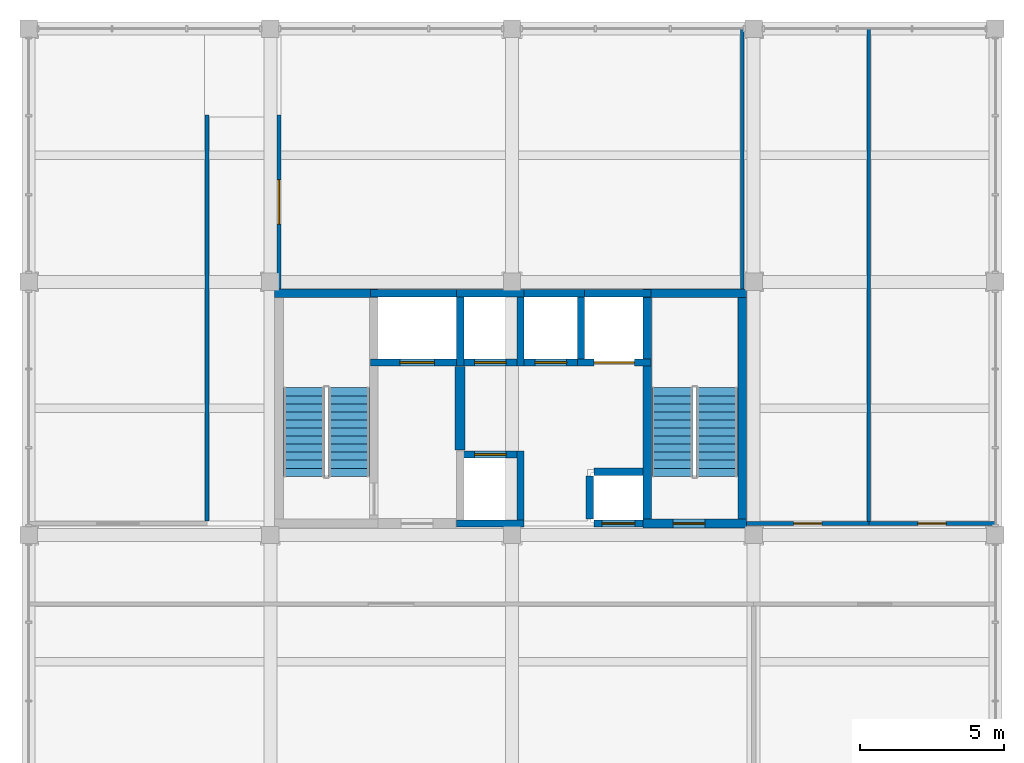
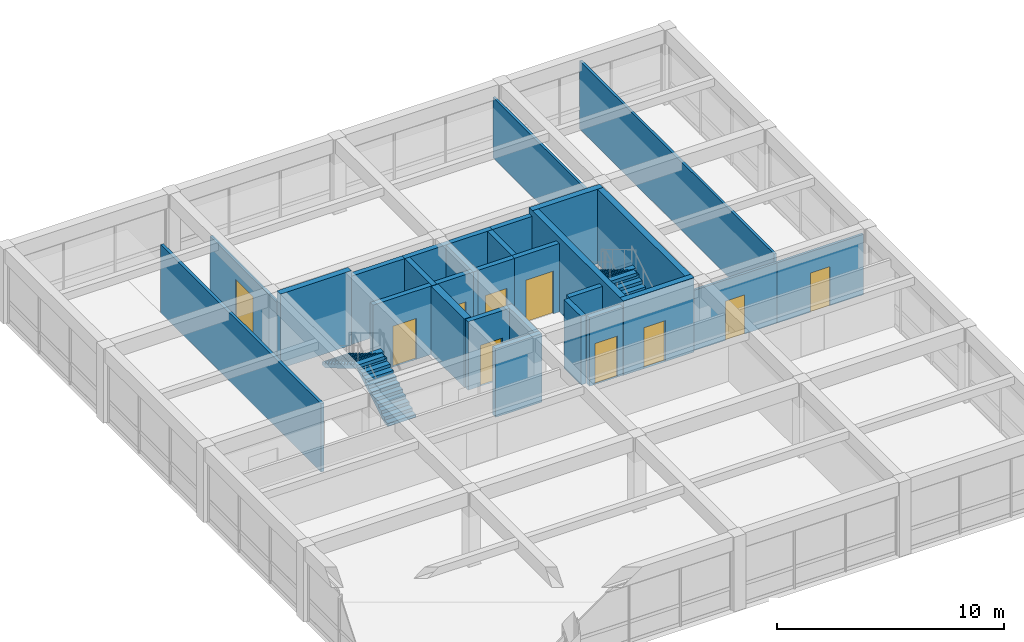
# One storey, part 10 of 14: 29 walls, 10 doors, 4 stair flights, 10 openings, 2 elements without a shape of their own.
"""IFC4 building model written with IfcOpenShell, lengths in metres."""

import ifcopenshell
import ifcopenshell.guid

model = None  # the IFC model being written
_history = None  # IfcOwnerHistory: only IFC2X3 demands one
_inside = {}  # id of a spatial element -> (the spatial element, [elements in it])
_under = {}  # id of a project, library or spatial element -> (it, [spatial elements below it])
_declared = {}  # id of a project -> (the project, [libraries it declares])
_typed = {}  # id of a type object -> (the type object, [elements of that type])
_made_of = {}  # id of a material, layer set ... -> (it, [elements and type objects made of it])


def new_model(schema):
    """Start an empty IFC model of exactly this schema.

    Asked for "IFC4X3", IfcOpenShell would pick the latest addendum, in which some entities
    have other attributes; the version numbers below select the first issue.
    IFC2X3 requires an IfcOwnerHistory on every rooted entity: one is made here for all.
    """
    global model, _history
    if schema == "IFC4X3":
        model = ifcopenshell.file(schema_version=(4, 3, 0, 0))
    else:
        model = ifcopenshell.file(schema=schema)
    _inside.clear()
    _under.clear()
    _declared.clear()
    _typed.clear()
    _made_of.clear()
    _history = None
    if model.schema == "IFC2X3":
        org = make("IfcOrganization", Name="unknown")
        user = make(
            "IfcPersonAndOrganization",
            ThePerson=make("IfcPerson", FamilyName="unknown"),
            TheOrganization=org,
        )
        app = make(
            "IfcApplication",
            ApplicationDeveloper=org,
            Version="unknown",
            ApplicationFullName="unknown",
            ApplicationIdentifier="unknown",
        )
        _history = make(
            "IfcOwnerHistory",
            OwningUser=user,
            OwningApplication=app,
            ChangeAction="ADDED",
            CreationDate=0,
        )
    return model


def make(cls, **values):
    """One entity of the class cls with the attributes given. An attribute that is None is left unset."""
    return model.create_entity(
        cls, **{name: value for name, value in values.items() if value is not None}
    )


def rooted(cls, **values):
    """An entity with a GlobalId (a new one), such as an element, a storey or a relation."""
    return make(cls, GlobalId=ifcopenshell.guid.new(), OwnerHistory=_history, **values)


def si_unit(unit_type, name, prefix=None):
    """IfcSIUnit, for example si_unit("LENGTHUNIT", "METRE", prefix="MILLI")."""
    return make("IfcSIUnit", UnitType=unit_type, Prefix=prefix, Name=name)


def assignment(units):
    """IfcUnitAssignment: the units of a project."""
    return None if units is None else make("IfcUnitAssignment", Units=units)


def point(xyz):
    """IfcCartesianPoint."""
    return None if xyz is None else make("IfcCartesianPoint", Coordinates=xyz)


def direction(xyz):
    """IfcDirection."""
    return None if xyz is None else make("IfcDirection", DirectionRatios=xyz)


def frame(location, z_axis=None, x_axis=None):
    """IfcAxis2Placement3D, a coordinate frame: its origin and axes. An axis left out is left unset."""
    return make(
        "IfcAxis2Placement3D",
        Location=point(location),
        Axis=direction(z_axis),
        RefDirection=direction(x_axis),
    )


def frame_2d(location, x_axis=None):
    """IfcAxis2Placement2D, a coordinate frame in the plane: its origin and x axis."""
    return make(
        "IfcAxis2Placement2D", Location=point(location), RefDirection=direction(x_axis)
    )


def origin():
    """The frame at (0, 0, 0) with its axes left unset."""
    return frame((0.0, 0.0, 0.0))


def place(relative_to, where):
    """IfcLocalPlacement: puts the frame where relative to a parent placement (None: the world)."""
    return make(
        "IfcLocalPlacement", PlacementRelTo=relative_to, RelativePlacement=where
    )


def context(
    kind, dimensions, precision=None, world=None, true_north=None, identifier=None
):
    """IfcGeometricRepresentationContext, for example the 3D "Model" context."""
    return make(
        "IfcGeometricRepresentationContext",
        ContextIdentifier=identifier,
        ContextType=kind,
        CoordinateSpaceDimension=dimensions,
        Precision=precision,
        WorldCoordinateSystem=world,
        TrueNorth=true_north,
    )


def subcontext(parent, identifier, kind, view, scale=None):
    """IfcGeometricRepresentationSubContext, for example "Body" below "Model"."""
    return make(
        "IfcGeometricRepresentationSubContext",
        ContextIdentifier=identifier,
        ContextType=kind,
        ParentContext=parent,
        TargetScale=scale,
        TargetView=view,
    )


def project(units=None, contexts=None):
    """IfcProject with its units and contexts."""
    return rooted(
        "IfcProject",
        Name="project",
        RepresentationContexts=contexts,
        UnitsInContext=assignment(units),
    )


def spatial(cls, under=None, at=None, **own):
    """A site, building, storey or space (cls), placed at a placement, below another one or the project."""
    s = rooted(cls, ObjectPlacement=at, **own)
    if under is not None:
        _under.setdefault(under.id(), (under, []))[1].append(s)
    return s


def polyline(points):
    """IfcPolyline through the points."""
    return make("IfcPolyline", Points=[point(p) for p in points])


def profile(cls, at=None, kind="AREA", **sizes):
    """A parametric profile (cls). Its sizes go by their IFC names, for example OverallWidth=200.0."""
    return make(cls, ProfileType=kind, Position=at, **sizes)


def rectangle(**sizes):
    """IfcRectangleProfileDef."""
    return profile("IfcRectangleProfileDef", **sizes)


def outline(outer, holes=None, kind="AREA"):
    """IfcArbitraryClosedProfileDef: a profile drawn as a closed curve; with holes, ...WithVoids."""
    if holes is None:
        return make("IfcArbitraryClosedProfileDef", ProfileType=kind, OuterCurve=outer)
    return make(
        "IfcArbitraryProfileDefWithVoids",
        ProfileType=kind,
        OuterCurve=outer,
        InnerCurves=holes,
    )


def extrude(swept, where, along, depth):
    """IfcExtrudedAreaSolid: the profile swept, set in the frame where, extruded along a direction by depth."""
    return make(
        "IfcExtrudedAreaSolid",
        SweptArea=swept,
        Position=where,
        ExtrudedDirection=direction(along),
        Depth=depth,
    )


def shape(context_of_items, identifier, shape_type, items):
    """IfcShapeRepresentation: the items that make up one representation, for example the "Body"."""
    return make(
        "IfcShapeRepresentation",
        ContextOfItems=context_of_items,
        RepresentationIdentifier=identifier,
        RepresentationType=shape_type,
        Items=items,
    )


def material(Name=None, Category=None):
    """IfcMaterial."""
    return make("IfcMaterial", Name=Name, Category=Category)


def layer(
    of_material, thickness, ventilated=None, Name=None, Category=None, Priority=None
):
    """IfcMaterialLayer: one layer of a wall or slab, of a material (None: an air gap)."""
    return make(
        "IfcMaterialLayer",
        Material=of_material,
        LayerThickness=thickness,
        IsVentilated=ventilated,
        Name=Name,
        Category=Category,
        Priority=Priority,
    )


def layer_set(layers, Name=None):
    """IfcMaterialLayerSet."""
    return make("IfcMaterialLayerSet", MaterialLayers=layers, LayerSetName=Name)


def made_of(thing, what):
    """Note that an element or type object is made of a material, layer set ...; save() writes the relation."""
    if what is not None:
        _made_of.setdefault(what.id(), (what, []))[1].append(thing)
    return thing


def type_object(cls, material=None, **own):
    """A type object (cls), such as IfcWallType, which elements share."""
    return made_of(rooted(cls, **own), material)


def element(
    cls,
    number,
    at=None,
    inside=None,
    cuts=None,
    type_object=None,
    material=None,
    context=None,
    identifier="Body",
    shape_type=None,
    held_by="IfcProductDefinitionShape",
    body=None,
    shapes=None,
    **own,
):
    """One element of the class cls, such as IfcWall. Its Tag is "e" and its number.

    at: its placement. inside: the storey or other place that contains it. cuts: it is an
    opening in that element (IfcRelVoidsElement). A single representation is given by context,
    identifier, shape_type and body (its items); several are given by shapes. held_by: the class
    of the entity that holds the representations. save() writes the other relations.
    """
    e = rooted(cls, Tag="e%d" % number, ObjectPlacement=at, **own)
    if body is not None:
        shapes = [shape(context, identifier, shape_type, body)]
    if shapes is not None:
        e.Representation = make(held_by, Representations=shapes)
    if inside is not None:
        _inside.setdefault(inside.id(), (inside, []))[1].append(e)
    if cuts is not None:
        rooted(
            "IfcRelVoidsElement", RelatingBuildingElement=cuts, RelatedOpeningElement=e
        )
    if type_object is not None:
        _typed.setdefault(type_object.id(), (type_object, []))[1].append(e)
    return made_of(e, material)


def fill(opening, filler):
    """IfcRelFillsElement: the door or window that sits in an opening."""
    return rooted(
        "IfcRelFillsElement",
        RelatingOpeningElement=opening,
        RelatedBuildingElement=filler,
    )


def aggregate(whole, parts):
    """IfcRelAggregates: a whole, such as a stair, and the parts it consists of."""
    return rooted("IfcRelAggregates", RelatingObject=whole, RelatedObjects=parts)


def save(model, path):
    """Write the relations noted so far, then the file.

    IfcRelAggregates (storeys below a building ...), IfcRelContainedInSpatialStructure (elements
    in a storey), IfcRelDefinesByType, IfcRelAssociatesMaterial and IfcRelDeclares: one each for
    every whole, place, type object, material and project.
    """
    for whole, parts in _under.values():
        aggregate(whole, parts)
    for where, things in _inside.values():
        rooted(
            "IfcRelContainedInSpatialStructure",
            RelatedElements=things,
            RelatingStructure=where,
        )
    for kind, things in _typed.values():
        rooted("IfcRelDefinesByType", RelatedObjects=things, RelatingType=kind)
    for what, things in _made_of.values():
        rooted("IfcRelAssociatesMaterial", RelatedObjects=things, RelatingMaterial=what)
    for by, libraries in _declared.values():
        rooted("IfcRelDeclares", RelatingContext=by, RelatedDefinitions=libraries)
    model.write(path)


model = new_model("IFC4")

# Units and contexts
model_context = context("Model", 3, precision=1e-05, world=origin(), true_north=direction((0.0, 1.0)))
body_context = subcontext(model_context, "Body", "Model", "MODEL_VIEW")
ifc_project = project(units=[si_unit("LENGTHUNIT", "METRE"), si_unit("AREAUNIT", "SQUARE_METRE"), si_unit("VOLUMEUNIT", "CUBIC_METRE"), si_unit("PLANEANGLEUNIT", "RADIAN"), si_unit("MASSUNIT", "GRAM", prefix="KILO")], contexts=[model_context])

# Site, building, storey
site_placement = place(None, origin())
site = spatial("IfcSite", under=ifc_project, at=site_placement, CompositionType="ELEMENT")
building_placement = place(site_placement, origin())
building = spatial("IfcBuilding", under=site, at=building_placement, Name="Kemercrest Conservatory and Botanical Centre", CompositionType="ELEMENT")
storey_placement = place(building_placement, frame((0.0, 0.0, 59.800048828125)))
storey = spatial("IfcBuildingStorey", under=building, at=storey_placement, Name="L15", CompositionType="ELEMENT", Elevation=59.800048828125)

# Walls
ifc_material_1 = material(Name="Concrete C50/60", Category="concrete")
ifc_layer_1 = layer(ifc_material_1, 0.35009765625)
ifc_layer_set_1 = layer_set([ifc_layer_1], Name="Concrete C50/60")
wall_type_1 = type_object("IfcWallType", Name="CW-CORE", PredefinedType="SHEAR", material=ifc_layer_set_1)
wall_1_placement = place(storey_placement, frame((157.39990234375, 107.75, 0.0), z_axis=(0.0, 0.0, 1.0), x_axis=(0.0, 1.0, 0.0)))
element("IfcWall", 1, at=wall_1_placement, inside=storey, type_object=wall_type_1, Name="Firefighting lift lobby 2-hour separation shear wall", PredefinedType="SHEAR", context=body_context, shape_type="SweptSolid", body=[
    extrude(rectangle(XDim=2.89990234375, YDim=0.35009765625, at=frame_2d((1.449951171875, 0.0))), origin(), (0.0, 0.0, 1.0), 3.679931640625),
])
ifc_layer_2 = layer(ifc_material_1, 0.300048828125)
ifc_layer_set_2 = layer_set([ifc_layer_2], Name="Concrete C50/60")
wall_type_2 = type_object("IfcWallType", Name="CW-STAIR", PredefinedType="SHEAR", material=ifc_layer_set_2)
wall_2_placement = place(storey_placement, frame((150.949951171875, 113.199951171875, 0.0), z_axis=(0.0, 0.0, 1.0), x_axis=(1.0, 0.0, 0.0)))
element("IfcWall", 2, at=wall_2_placement, inside=storey, type_object=wall_type_2, Name="Stair core ST-V4A shear wall N", PredefinedType="SHEAR", context=body_context, shape_type="SweptSolid", body=[
    extrude(rectangle(XDim=3.60009765625, YDim=0.300048828125, at=frame_2d((1.800048828125, 0.0))), origin(), (0.0, 0.0, 1.0), 4.0),
])

# Wall, opening, door
wall_3_placement = place(storey_placement, frame((163.75, 105.199951171875, 0.0), z_axis=(0.0, 0.0, 1.0), x_axis=(1.0, 0.0, 0.0)))
wall_3 = element("IfcWall", 3, at=wall_3_placement, inside=storey, type_object=wall_type_2, Name="Stair core ST-V4B shear wall S", PredefinedType="SHEAR", context=body_context, shape_type="SweptSolid", body=[
    extrude(rectangle(XDim=3.60009765625, YDim=0.300048828125, at=frame_2d((1.800048828125, 0.0))), origin(), (0.0, 0.0, 1.0), 4.0),
])
opening_1_placement = place(wall_3_placement, frame((1.050048828125, 0.0, 0.0)))
opening_1 = element("IfcOpeningElement", 4, at=opening_1_placement, cuts=wall_3, Name="Opening D060", PredefinedType="OPENING", context=body_context, shape_type="SweptSolid", body=[
    extrude(rectangle(XDim=1.10009765625, YDim=2.199951171875, at=frame_2d((0.550048828125, 1.10009765625))), frame((0.0, 0.16015625, 0.0), z_axis=(0.0, -1.0, 0.0), x_axis=(1.0, 0.0, 0.0)), (0.0, 0.0, 1.0), 0.320068359375),
])
ifc_material_2 = material(Name="Powder-coated galvanized steel and fire-rated vision glass", Category="steel")
door_type_1 = type_object("IfcDoorType", Name="DT-FD90", OperationType="NOTDEFINED", PredefinedType="DOOR", material=ifc_material_2)
door_1_placement = place(opening_1_placement, origin())
door_1 = element("IfcDoor", 5, at=door_1_placement, inside=storey, type_object=door_type_1, Name="Exit stair ST-V4B fire door D060", OperationType="SINGLE_SWING_RIGHT", OverallHeight=2.199951171875, OverallWidth=1.10009765625, PredefinedType="DOOR", context=body_context, shape_type="SweptSolid", body=[
    extrude(rectangle(XDim=1.10009765625, YDim=2.199951171875, at=frame_2d((0.550048828125, 1.10009765625))), frame((0.0, 0.02490234375, 0.0), z_axis=(0.0, -1.0, 0.0), x_axis=(1.0, 0.0, 0.0)), (0.0, 0.0, 1.0), 0.050048828125),
])
fill(opening_1, door_1)

# Walls
wall_4_placement = place(storey_placement, frame((163.75, 113.199951171875, 0.0), z_axis=(0.0, 0.0, 1.0), x_axis=(1.0, 0.0, 0.0)))
element("IfcWall", 6, at=wall_4_placement, inside=storey, type_object=wall_type_2, Name="Stair core ST-V4B shear wall N", PredefinedType="SHEAR", context=body_context, shape_type="SweptSolid", body=[
    extrude(rectangle(XDim=3.60009765625, YDim=0.300048828125, at=frame_2d((1.800048828125, 0.0))), origin(), (0.0, 0.0, 1.0), 4.0),
])
for number, where, z_axis, x_axis, name in (
    (7, (163.89990234375, 105.050048828125, 0.0), (0.0, 0.0, 1.0), (0.0, 1.0, 0.0), "Stair core ST-V4B shear wall W"),
    (8, (167.199951171875, 105.050048828125, 0.0), (0.0, 0.0, 1.0), (0.0, 1.0, 0.0), "Stair core ST-V4B shear wall E"),
):
    element("IfcWall", number, at=place(storey_placement, frame(where, z_axis=z_axis, x_axis=x_axis)), inside=storey, type_object=wall_type_2, Name=name, PredefinedType="SHEAR", context=body_context, shape_type="SweptSolid", body=[
        extrude(rectangle(XDim=8.300048828125, YDim=0.300048828125, at=frame_2d((4.14990234375, 0.0))), origin(), (0.0, 0.0, 1.0), 4.0),
    ])

# Wall, opening, door
ifc_material_3 = material(Name="Moisture-resistant gypsum board partition", Category="gypsum")
ifc_layer_3 = layer(ifc_material_3, 0.125)
ifc_layer_set_3 = layer_set([ifc_layer_3], Name="Moisture-resistant gypsum board partition")
wall_type_3 = type_object("IfcWallType", Name="W-PART125", PredefinedType="PARTITIONING", material=ifc_layer_set_3)
wall_5_placement = place(storey_placement, frame((167.35498046875, 105.199951171875, 0.0), z_axis=(0.0, 0.0, 1.0), x_axis=(1.0, 0.0, 0.0)))
wall_5 = element("IfcWall", 9, at=wall_5_placement, inside=storey, type_object=wall_type_3, Name="Interior partition W-PART125 #305", PredefinedType="PARTITIONING", context=body_context, shape_type="SweptSolid", body=[
    extrude(rectangle(XDim=4.2451171875, YDim=0.125, at=frame_2d((2.12255859375, 0.0))), origin(), (0.0, 0.0, 1.0), 3.244873046875),
])
opening_2_placement = place(wall_5_placement, frame((1.632568359375, 0.0, 0.0)))
opening_2 = element("IfcOpeningElement", 10, at=opening_2_placement, cuts=wall_5, Name="Opening D280", PredefinedType="OPENING", context=body_context, shape_type="SweptSolid", body=[
    extrude(rectangle(XDim=0.97998046875, YDim=2.10009765625, at=frame_2d((0.489990234375, 1.050048828125))), frame((0.0, 0.072509765625, 0.0), z_axis=(0.0, -1.0, 0.0), x_axis=(1.0, 0.0, 0.0)), (0.0, 0.0, 1.0), 0.14501953125),
])
ifc_material_4 = material(Name="FSC solid-core white oak veneer and anodized aluminium frame", Category="aluminium")
door_type_2 = type_object("IfcDoorType", Name="DT-02", OperationType="NOTDEFINED", PredefinedType="DOOR", material=ifc_material_4)
door_2_placement = place(opening_2_placement, origin())
door_2 = element("IfcDoor", 11, at=door_2_placement, inside=storey, type_object=door_type_2, Name="Public Washroom door D280", OperationType="SINGLE_SWING_RIGHT", OverallHeight=2.10009765625, OverallWidth=0.97998046875, PredefinedType="DOOR", context=body_context, shape_type="SweptSolid", body=[
    extrude(rectangle(XDim=0.97998046875, YDim=2.10009765625, at=frame_2d((0.489990234375, 1.050048828125))), frame((0.0, 0.02490234375, 0.0), z_axis=(0.0, -1.0, 0.0), x_axis=(1.0, 0.0, 0.0)), (0.0, 0.0, 1.0), 0.050048828125),
])
fill(opening_2, door_2)

wall_6_placement = place(storey_placement, frame((171.60009765625, 105.199951171875, 0.0), z_axis=(0.0, 0.0, 1.0), x_axis=(1.0, 0.0, 0.0)))
wall_6 = element("IfcWall", 12, at=wall_6_placement, inside=storey, type_object=wall_type_3, Name="Interior partition W-PART125 #306", PredefinedType="PARTITIONING", context=body_context, shape_type="SweptSolid", body=[
    extrude(rectangle(XDim=4.39990234375, YDim=0.125, at=frame_2d((2.199951171875, 0.0))), origin(), (0.0, 0.0, 1.0), 3.244873046875),
])
opening_3_placement = place(wall_6_placement, frame((1.7099609375, 0.0, 0.0)))
opening_3 = element("IfcOpeningElement", 13, at=opening_3_placement, cuts=wall_6, Name="Opening D281", PredefinedType="OPENING", context=body_context, shape_type="SweptSolid", body=[
    extrude(rectangle(XDim=0.97998046875, YDim=2.10009765625, at=frame_2d((0.489990234375, 1.050048828125))), frame((0.0, 0.072509765625, 0.0), z_axis=(0.0, -1.0, 0.0), x_axis=(1.0, 0.0, 0.0)), (0.0, 0.0, 1.0), 0.14501953125),
])
door_3_placement = place(opening_3_placement, origin())
door_3 = element("IfcDoor", 14, at=door_3_placement, inside=storey, type_object=door_type_2, Name="Accessible Washroom door D281", OperationType="SINGLE_SWING_LEFT", OverallHeight=2.10009765625, OverallWidth=0.97998046875, PredefinedType="DOOR", context=body_context, shape_type="SweptSolid", body=[
    extrude(rectangle(XDim=0.97998046875, YDim=2.10009765625, at=frame_2d((0.489990234375, 1.050048828125))), frame((0.0, 0.02490234375, 0.0), z_axis=(0.0, -1.0, 0.0), x_axis=(1.0, 0.0, 0.0)), (0.0, 0.0, 1.0), 0.050048828125),
])
fill(opening_3, door_3)

# Walls
wall_7_placement = place(storey_placement, frame((167.199951171875, 113.35498046875, 0.0), z_axis=(0.0, 0.0, 1.0), x_axis=(0.0, 1.0, 0.0)))
element("IfcWall", 15, at=wall_7_placement, inside=storey, type_object=wall_type_3, Name="Interior partition W-PART125 #310", PredefinedType="PARTITIONING", context=body_context, shape_type="SweptSolid", body=[
    extrude(rectangle(XDim=9.044921875, YDim=0.125, at=frame_2d((4.5224609375, 0.0))), origin(), (0.0, 0.0, 1.0), 3.244873046875),
])
wall_8_placement = place(storey_placement, frame((171.60009765625, 105.267578125, 0.0), z_axis=(0.0, 0.0, 1.0), x_axis=(0.0, 1.0, 0.0)))
element("IfcWall", 16, at=wall_8_placement, inside=storey, type_object=wall_type_3, Name="Interior partition W-PART125 #311", PredefinedType="PARTITIONING", context=body_context, shape_type="SweptSolid", body=[
    extrude(rectangle(XDim=17.13232421875, YDim=0.125, at=frame_2d((8.566162109375, 0.0))), origin(), (0.0, 0.0, 1.0), 3.6650390625),
])
ifc_material_5 = material(Name="Steel-stud gypsum board partition", Category="steel")
ifc_layer_4 = layer(ifc_material_5, 0.14990234375)
ifc_layer_set_4 = layer_set([ifc_layer_4], Name="Steel-stud gypsum board partition")
wall_type_4 = type_object("IfcWallType", Name="W-PART150", PredefinedType="PARTITIONING", material=ifc_layer_set_4)
wall_9_placement = place(storey_placement, frame((148.60009765625, 105.280029296875, 0.0), z_axis=(0.0, 0.0, 1.0), x_axis=(0.0, 1.0, 0.0)))
element("IfcWall", 17, at=wall_9_placement, inside=storey, type_object=wall_type_4, Name="Interior partition W-PART150 #307", PredefinedType="PARTITIONING", context=body_context, shape_type="SweptSolid", body=[
    extrude(rectangle(XDim=14.119873046875, YDim=0.14990234375, at=frame_2d((7.06005859375, 0.0))), origin(), (0.0, 0.0, 1.0), 3.6650390625),
])

# Wall, opening, door
wall_10_placement = place(storey_placement, frame((151.10009765625, 113.35498046875, 0.0), z_axis=(0.0, 0.0, 1.0), x_axis=(0.0, 1.0, 0.0)))
wall_10 = element("IfcWall", 18, at=wall_10_placement, inside=storey, type_object=wall_type_4, Name="Interior partition W-PART150 #308", PredefinedType="PARTITIONING", context=body_context, shape_type="SweptSolid", body=[
    extrude(rectangle(XDim=6.044921875, YDim=0.14990234375, at=frame_2d((3.0224609375, 0.0))), origin(), (0.0, 0.0, 1.0), 3.244873046875),
])
opening_4_placement = place(wall_10_placement, frame((2.25244140625, 0.0, 0.0)))
opening_4 = element("IfcOpeningElement", 19, at=opening_4_placement, cuts=wall_10, Name="Opening D282", PredefinedType="OPENING", context=body_context, shape_type="SweptSolid", body=[
    extrude(rectangle(XDim=1.5400390625, YDim=2.300048828125, at=frame_2d((0.77001953125, 1.14990234375))), frame((0.0, 0.0849609375, 0.0), z_axis=(0.0, -1.0, 0.0), x_axis=(1.0, 0.0, 0.0)), (0.0, 0.0, 1.0), 0.169921875),
])
door_type_3 = type_object("IfcDoorType", Name="DT-30", OperationType="DOUBLE_DOOR_SINGLE_SWING", PredefinedType="DOOR", material=ifc_material_4)
door_4_placement = place(opening_4_placement, origin())
door_4 = element("IfcDoor", 20, at=door_4_placement, inside=storey, type_object=door_type_3, Name="Exhibitions Curatorial Office door D282", OperationType="DOUBLE_DOOR_SINGLE_SWING", OverallHeight=2.300048828125, OverallWidth=1.5400390625, PredefinedType="DOOR", context=body_context, shape_type="SweptSolid", body=[
    extrude(rectangle(XDim=1.5400390625, YDim=2.300048828125, at=frame_2d((0.77001953125, 1.14990234375))), frame((0.0, 0.02490234375, 0.0), z_axis=(0.0, -1.0, 0.0), x_axis=(1.0, 0.0, 0.0)), (0.0, 0.0, 1.0), 0.050048828125),
])
fill(opening_4, door_4)

ifc_material_6 = material(Name="Concrete C40/50", Category="concrete")
ifc_layer_5 = layer(ifc_material_6, 0.25)
ifc_layer_set_5 = layer_set([ifc_layer_5], Name="Concrete C40/50")
wall_type_5 = type_object("IfcWallType", Name="W-SHFT250", PredefinedType="SOLIDWALL", material=ifc_layer_set_5)
wall_11_placement = place(storey_placement, frame((154.27490234375, 110.800048828125, 0.0), z_axis=(0.0, 0.0, 1.0), x_axis=(1.0, 0.0, 0.0)))
wall_11 = element("IfcWall", 21, at=wall_11_placement, inside=storey, type_object=wall_type_5, Name="Elevator LF-FF1 shaft wall south", PredefinedType="SOLIDWALL", context=body_context, shape_type="SweptSolid", body=[
    extrude(rectangle(XDim=3.25, YDim=0.25, at=frame_2d((1.625, 0.0))), origin(), (0.0, 0.0, 1.0), 3.679931640625),
])
opening_5_placement = place(wall_11_placement, frame((1.02490234375, 0.0, 0.0)))
opening_5 = element("IfcOpeningElement", 22, at=opening_5_placement, cuts=wall_11, Name="Opening LD-017", PredefinedType="OPENING", context=body_context, shape_type="SweptSolid", body=[
    extrude(rectangle(XDim=1.199951171875, YDim=2.199951171875, at=frame_2d((0.60009765625, 1.10009765625))), frame((0.0, 0.135009765625, 0.0), z_axis=(0.0, -1.0, 0.0), x_axis=(1.0, 0.0, 0.0)), (0.0, 0.0, 1.0), 0.27001953125),
])
door_type_4 = type_object("IfcDoorType", Name="DT-LD02", OperationType="SLIDING_TO_LEFT", PredefinedType="DOOR", material=ifc_material_2)
door_5_placement = place(opening_5_placement, origin())
door_5 = element("IfcDoor", 23, at=door_5_placement, inside=storey, type_object=door_type_4, Name="Elevator LF-FF1 sliding landing door LD-017", OperationType="SLIDING_TO_LEFT", OverallHeight=2.199951171875, OverallWidth=1.199951171875, PredefinedType="DOOR", context=body_context, shape_type="SweptSolid", body=[
    extrude(rectangle(XDim=1.199951171875, YDim=2.199951171875, at=frame_2d((0.60009765625, 1.10009765625))), frame((0.0, 0.02490234375, 0.0), z_axis=(0.0, -1.0, 0.0), x_axis=(1.0, 0.0, 0.0)), (0.0, 0.0, 1.0), 0.050048828125),
])
fill(opening_5, door_5)

# Walls
wall_12_placement = place(storey_placement, frame((154.27490234375, 113.199951171875, 0.0), z_axis=(0.0, 0.0, 1.0), x_axis=(1.0, 0.0, 0.0)))
element("IfcWall", 24, at=wall_12_placement, inside=storey, type_object=wall_type_5, Name="Elevator LF-FF1 shaft wall north", PredefinedType="SOLIDWALL", context=body_context, shape_type="SweptSolid", body=[
    extrude(rectangle(XDim=3.25, YDim=0.25, at=frame_2d((1.625, 0.0))), origin(), (0.0, 0.0, 1.0), 3.679931640625),
])
wall_13_placement = place(storey_placement, frame((157.39990234375, 110.675048828125, 0.0), z_axis=(0.0, 0.0, 1.0), x_axis=(0.0, 1.0, 0.0)))
element("IfcWall", 25, at=wall_13_placement, inside=storey, type_object=wall_type_5, Name="Elevator LF-FF1 shaft wall east", PredefinedType="SOLIDWALL", context=body_context, shape_type="SweptSolid", body=[
    extrude(rectangle(XDim=2.64990234375, YDim=0.25, at=frame_2d((1.324951171875, 0.0))), origin(), (0.0, 0.0, 1.0), 3.679931640625),
])

# Wall, opening, door
wall_14_placement = place(storey_placement, frame((157.27490234375, 110.800048828125, 0.0), z_axis=(0.0, 0.0, 1.0), x_axis=(1.0, 0.0, 0.0)))
wall_14 = element("IfcWall", 26, at=wall_14_placement, inside=storey, type_object=wall_type_5, Name="Elevator LF-P1 shaft wall south", PredefinedType="SOLIDWALL", context=body_context, shape_type="SweptSolid", body=[
    extrude(rectangle(XDim=2.35009765625, YDim=0.25, at=frame_2d((1.175048828125, 0.0))), origin(), (0.0, 0.0, 1.0), 3.679931640625),
])
opening_6_placement = place(wall_14_placement, frame((0.625, 0.0, 0.0)))
opening_6 = element("IfcOpeningElement", 27, at=opening_6_placement, cuts=wall_14, Name="Opening LD-036", PredefinedType="OPENING", context=body_context, shape_type="SweptSolid", body=[
    extrude(rectangle(XDim=1.10009765625, YDim=2.199951171875, at=frame_2d((0.550048828125, 1.10009765625))), frame((0.0, 0.135009765625, 0.0), z_axis=(0.0, -1.0, 0.0), x_axis=(1.0, 0.0, 0.0)), (0.0, 0.0, 1.0), 0.27001953125),
])
door_type_5 = type_object("IfcDoorType", Name="DT-LD01", OperationType="SLIDING_TO_LEFT", PredefinedType="DOOR", material=ifc_material_2)
door_6_placement = place(opening_6_placement, origin())
door_6 = element("IfcDoor", 28, at=door_6_placement, inside=storey, type_object=door_type_5, Name="Elevator LF-P1 sliding landing door LD-036", OperationType="SLIDING_TO_LEFT", OverallHeight=2.199951171875, OverallWidth=1.10009765625, PredefinedType="DOOR", context=body_context, shape_type="SweptSolid", body=[
    extrude(rectangle(XDim=1.10009765625, YDim=2.199951171875, at=frame_2d((0.550048828125, 1.10009765625))), frame((0.0, 0.02490234375, 0.0), z_axis=(0.0, -1.0, 0.0), x_axis=(1.0, 0.0, 0.0)), (0.0, 0.0, 1.0), 0.050048828125),
])
fill(opening_6, door_6)

# Walls
wall_15_placement = place(storey_placement, frame((157.27490234375, 113.199951171875, 0.0), z_axis=(0.0, 0.0, 1.0), x_axis=(1.0, 0.0, 0.0)))
element("IfcWall", 29, at=wall_15_placement, inside=storey, type_object=wall_type_5, Name="Elevator LF-P1 shaft wall north", PredefinedType="SOLIDWALL", context=body_context, shape_type="SweptSolid", body=[
    extrude(rectangle(XDim=2.35009765625, YDim=0.25, at=frame_2d((1.175048828125, 0.0))), origin(), (0.0, 0.0, 1.0), 3.679931640625),
])
wall_16_placement = place(storey_placement, frame((159.5, 110.675048828125, 0.0), z_axis=(0.0, 0.0, 1.0), x_axis=(0.0, 1.0, 0.0)))
element("IfcWall", 30, at=wall_16_placement, inside=storey, type_object=wall_type_5, Name="Elevator LF-P1 shaft wall east", PredefinedType="SOLIDWALL", context=body_context, shape_type="SweptSolid", body=[
    extrude(rectangle(XDim=2.64990234375, YDim=0.25, at=frame_2d((1.324951171875, 0.0))), origin(), (0.0, 0.0, 1.0), 3.679931640625),
])

# Wall, opening, door
wall_17_placement = place(storey_placement, frame((159.375, 110.800048828125, 0.0), z_axis=(0.0, 0.0, 1.0), x_axis=(1.0, 0.0, 0.0)))
wall_17 = element("IfcWall", 31, at=wall_17_placement, inside=storey, type_object=wall_type_5, Name="Elevator LF-P2 shaft wall south", PredefinedType="SOLIDWALL", context=body_context, shape_type="SweptSolid", body=[
    extrude(rectangle(XDim=2.35009765625, YDim=0.25, at=frame_2d((1.175048828125, 0.0))), origin(), (0.0, 0.0, 1.0), 3.679931640625),
])
opening_7_placement = place(wall_17_placement, frame((0.625, 0.0, 0.0)))
opening_7 = element("IfcOpeningElement", 32, at=opening_7_placement, cuts=wall_17, Name="Opening LD-055", PredefinedType="OPENING", context=body_context, shape_type="SweptSolid", body=[
    extrude(rectangle(XDim=1.10009765625, YDim=2.199951171875, at=frame_2d((0.550048828125, 1.10009765625))), frame((0.0, 0.135009765625, 0.0), z_axis=(0.0, -1.0, 0.0), x_axis=(1.0, 0.0, 0.0)), (0.0, 0.0, 1.0), 0.27001953125),
])
door_7_placement = place(opening_7_placement, origin())
door_7 = element("IfcDoor", 33, at=door_7_placement, inside=storey, type_object=door_type_5, Name="Elevator LF-P2 sliding landing door LD-055", OperationType="SLIDING_TO_LEFT", OverallHeight=2.199951171875, OverallWidth=1.10009765625, PredefinedType="DOOR", context=body_context, shape_type="SweptSolid", body=[
    extrude(rectangle(XDim=1.10009765625, YDim=2.199951171875, at=frame_2d((0.550048828125, 1.10009765625))), frame((0.0, 0.02490234375, 0.0), z_axis=(0.0, -1.0, 0.0), x_axis=(1.0, 0.0, 0.0)), (0.0, 0.0, 1.0), 0.050048828125),
])
fill(opening_7, door_7)

# Walls
wall_18_placement = place(storey_placement, frame((159.375, 113.199951171875, 0.0), z_axis=(0.0, 0.0, 1.0), x_axis=(1.0, 0.0, 0.0)))
element("IfcWall", 34, at=wall_18_placement, inside=storey, type_object=wall_type_5, Name="Elevator LF-P2 shaft wall north", PredefinedType="SOLIDWALL", context=body_context, shape_type="SweptSolid", body=[
    extrude(rectangle(XDim=2.35009765625, YDim=0.25, at=frame_2d((1.175048828125, 0.0))), origin(), (0.0, 0.0, 1.0), 3.679931640625),
])
wall_19_placement = place(storey_placement, frame((161.60009765625, 110.675048828125, 0.0), z_axis=(0.0, 0.0, 1.0), x_axis=(0.0, 1.0, 0.0)))
element("IfcWall", 35, at=wall_19_placement, inside=storey, type_object=wall_type_5, Name="Elevator LF-P2 shaft wall east", PredefinedType="SOLIDWALL", context=body_context, shape_type="SweptSolid", body=[
    extrude(rectangle(XDim=2.64990234375, YDim=0.25, at=frame_2d((1.324951171875, 0.0))), origin(), (0.0, 0.0, 1.0), 3.679931640625),
])
wall_20_placement = place(storey_placement, frame((157.27490234375, 105.199951171875, 0.0), z_axis=(0.0, 0.0, 1.0), x_axis=(1.0, 0.0, 0.0)))
element("IfcWall", 36, at=wall_20_placement, inside=storey, type_object=wall_type_5, Name="Elevator LF-P3 shaft wall south", PredefinedType="SOLIDWALL", context=body_context, shape_type="SweptSolid", body=[
    extrude(rectangle(XDim=2.35009765625, YDim=0.25, at=frame_2d((1.175048828125, 0.0))), origin(), (0.0, 0.0, 1.0), 3.679931640625),
])

# Wall, opening, door
wall_21_placement = place(storey_placement, frame((157.27490234375, 107.60009765625, 0.0), z_axis=(0.0, 0.0, 1.0), x_axis=(1.0, 0.0, 0.0)))
wall_21 = element("IfcWall", 37, at=wall_21_placement, inside=storey, type_object=wall_type_5, Name="Elevator LF-P3 shaft wall north", PredefinedType="SOLIDWALL", context=body_context, shape_type="SweptSolid", body=[
    extrude(rectangle(XDim=2.35009765625, YDim=0.25, at=frame_2d((1.175048828125, 0.0))), origin(), (0.0, 0.0, 1.0), 3.679931640625),
])
opening_8_placement = place(wall_21_placement, frame((0.625, 0.0, 0.0)))
opening_8 = element("IfcOpeningElement", 38, at=opening_8_placement, cuts=wall_21, Name="Opening LD-073", PredefinedType="OPENING", context=body_context, shape_type="SweptSolid", body=[
    extrude(rectangle(XDim=1.10009765625, YDim=2.199951171875, at=frame_2d((0.550048828125, 1.10009765625))), frame((0.0, 0.135009765625, 0.0), z_axis=(0.0, -1.0, 0.0), x_axis=(1.0, 0.0, 0.0)), (0.0, 0.0, 1.0), 0.27001953125),
])
door_8_placement = place(opening_8_placement, origin())
door_8 = element("IfcDoor", 39, at=door_8_placement, inside=storey, type_object=door_type_5, Name="Elevator LF-P3 sliding landing door LD-073", OperationType="SLIDING_TO_LEFT", OverallHeight=2.199951171875, OverallWidth=1.10009765625, PredefinedType="DOOR", context=body_context, shape_type="SweptSolid", body=[
    extrude(rectangle(XDim=1.10009765625, YDim=2.199951171875, at=frame_2d((0.550048828125, 1.10009765625))), frame((0.0, 0.02490234375, 0.0), z_axis=(0.0, -1.0, 0.0), x_axis=(1.0, 0.0, 0.0)), (0.0, 0.0, 1.0), 0.050048828125),
])
fill(opening_8, door_8)

# Wall
wall_22_placement = place(storey_placement, frame((159.5, 105.074951171875, 0.0), z_axis=(0.0, 0.0, 1.0), x_axis=(0.0, 1.0, 0.0)))
element("IfcWall", 40, at=wall_22_placement, inside=storey, type_object=wall_type_5, Name="Elevator LF-P3 shaft wall east", PredefinedType="SOLIDWALL", context=body_context, shape_type="SweptSolid", body=[
    extrude(rectangle(XDim=2.650146484375, YDim=0.25, at=frame_2d((1.3251953125, 0.0))), origin(), (0.0, 0.0, 1.0), 3.679931640625),
])

# Wall, opening, door
wall_23_placement = place(storey_placement, frame((161.47509765625, 110.800048828125, 0.0), z_axis=(0.0, 0.0, 1.0), x_axis=(1.0, 0.0, 0.0)))
wall_23 = element("IfcWall", 41, at=wall_23_placement, inside=storey, type_object=wall_type_5, Name="Elevator LF-G1 shaft wall south", PredefinedType="SOLIDWALL", context=body_context, shape_type="SweptSolid", body=[
    extrude(rectangle(XDim=2.5498046875, YDim=0.25, at=frame_2d((1.27490234375, 0.0))), origin(), (0.0, 0.0, 1.0), 3.679931640625),
])
opening_9_placement = place(wall_23_placement, frame((0.574951171875, 0.0, 0.0)))
opening_9 = element("IfcOpeningElement", 42, at=opening_9_placement, cuts=wall_23, Name="Opening LD-091", PredefinedType="OPENING", context=body_context, shape_type="SweptSolid", body=[
    extrude(rectangle(XDim=1.39990234375, YDim=2.300048828125, at=frame_2d((0.699951171875, 1.14990234375))), frame((0.0, 0.135009765625, 0.0), z_axis=(0.0, -1.0, 0.0), x_axis=(1.0, 0.0, 0.0)), (0.0, 0.0, 1.0), 0.27001953125),
])
door_type_6 = type_object("IfcDoorType", Name="DT-LD03", OperationType="SLIDING_TO_LEFT", PredefinedType="DOOR", material=ifc_material_2)
door_9_placement = place(opening_9_placement, origin())
door_9 = element("IfcDoor", 43, at=door_9_placement, inside=storey, type_object=door_type_6, Name="Elevator LF-G1 sliding landing door LD-091", OperationType="SLIDING_TO_LEFT", OverallHeight=2.300048828125, OverallWidth=1.39990234375, PredefinedType="DOOR", context=body_context, shape_type="SweptSolid", body=[
    extrude(rectangle(XDim=1.39990234375, YDim=2.300048828125, at=frame_2d((0.699951171875, 1.14990234375))), frame((0.0, 0.02490234375, 0.0), z_axis=(0.0, -1.0, 0.0), x_axis=(1.0, 0.0, 0.0)), (0.0, 0.0, 1.0), 0.050048828125),
])
fill(opening_9, door_9)

# Walls
wall_24_placement = place(storey_placement, frame((161.47509765625, 113.199951171875, 0.0), z_axis=(0.0, 0.0, 1.0), x_axis=(1.0, 0.0, 0.0)))
element("IfcWall", 44, at=wall_24_placement, inside=storey, type_object=wall_type_5, Name="Elevator LF-G1 shaft wall north", PredefinedType="SOLIDWALL", context=body_context, shape_type="SweptSolid", body=[
    extrude(rectangle(XDim=2.5498046875, YDim=0.25, at=frame_2d((1.27490234375, 0.0))), origin(), (0.0, 0.0, 1.0), 3.679931640625),
])
wall_25_placement = place(storey_placement, frame((161.89990234375, 105.35009765625, 0.0), z_axis=(0.0, 0.0, 1.0), x_axis=(0.0, 1.0, 0.0)))
element("IfcWall", 45, at=wall_25_placement, inside=storey, type_object=wall_type_5, Name="Core service riser shaft wall W", PredefinedType="SOLIDWALL", context=body_context, shape_type="SweptSolid", body=[
    extrude(rectangle(XDim=1.5, YDim=0.25, at=frame_2d((0.75, 0.0))), origin(), (0.0, 0.0, 1.0), 3.679931640625),
])
wall_26_placement = place(storey_placement, frame((162.050048828125, 107.0, 0.0), z_axis=(0.0, 0.0, 1.0), x_axis=(1.0, 0.0, 0.0)))
element("IfcWall", 46, at=wall_26_placement, inside=storey, type_object=wall_type_5, Name="Core service riser shaft wall N", PredefinedType="SOLIDWALL", context=body_context, shape_type="SweptSolid", body=[
    extrude(rectangle(XDim=1.699951171875, YDim=0.25, at=frame_2d((0.85009765625, 0.0))), origin(), (0.0, 0.0, 1.0), 3.679931640625),
])

# Wall, opening, door
wall_27_placement = place(storey_placement, frame((162.050048828125, 105.199951171875, 0.0), z_axis=(0.0, 0.0, 1.0), x_axis=(1.0, 0.0, 0.0)))
wall_27 = element("IfcWall", 47, at=wall_27_placement, inside=storey, type_object=wall_type_5, Name="Core service riser shaft wall S", PredefinedType="SOLIDWALL", context=body_context, shape_type="SweptSolid", body=[
    extrude(rectangle(XDim=1.699951171875, YDim=0.25, at=frame_2d((0.85009765625, 0.0))), origin(), (0.0, 0.0, 1.0), 3.679931640625),
])
opening_10_placement = place(wall_27_placement, frame((0.27001953125, 0.0, 0.0)))
opening_10 = element("IfcOpeningElement", 48, at=opening_10_placement, cuts=wall_27, Name="Opening D102", PredefinedType="OPENING", context=body_context, shape_type="SweptSolid", body=[
    extrude(rectangle(XDim=1.14990234375, YDim=2.199951171875, at=frame_2d((0.574951171875, 1.10009765625))), frame((0.0, 0.135009765625, 0.0), z_axis=(0.0, -1.0, 0.0), x_axis=(1.0, 0.0, 0.0)), (0.0, 0.0, 1.0), 0.27001953125),
])
door_type_7 = type_object("IfcDoorType", Name="DT-FD60", OperationType="NOTDEFINED", PredefinedType="DOOR", material=ifc_material_2)
door_10_placement = place(opening_10_placement, origin())
door_10 = element("IfcDoor", 49, at=door_10_placement, inside=storey, type_object=door_type_7, Name="Service riser access fire door D102", OperationType="SINGLE_SWING_RIGHT", OverallHeight=2.199951171875, OverallWidth=1.14990234375, PredefinedType="DOOR", context=body_context, shape_type="SweptSolid", body=[
    extrude(rectangle(XDim=1.14990234375, YDim=2.199951171875, at=frame_2d((0.574951171875, 1.10009765625))), frame((0.0, 0.02490234375, 0.0), z_axis=(0.0, -1.0, 0.0), x_axis=(1.0, 0.0, 0.0)), (0.0, 0.0, 1.0), 0.050048828125),
])
fill(opening_10, door_10)

# Stair, stair flights
stair_type = type_object("IfcStairType", Name="ST-142-40", PredefinedType="HALF_TURN_STAIR", material=ifc_material_6)
stair_1_placement = place(storey_placement, origin())
stair_1 = element("IfcStair", 50, at=stair_1_placement, inside=storey, type_object=stair_type, Name="L15 Exit stair ST-V4A", PredefinedType="HALF_TURN_STAIR")
stair_flight_type = type_object("IfcStairFlightType", Name="FL-142-40", PredefinedType="STRAIGHT", material=ifc_material_6)
stair_flight_1_placement = place(storey_placement, frame((153.530029296875, 106.840087890625, 0.0), z_axis=(0.0, 0.0, 1.0), x_axis=(0.0, 1.0, 0.0)))
stair_flight_1 = element("IfcStairFlight", 51, at=stair_flight_1_placement, type_object=stair_flight_type, Name="ST-V4A flight 1", NumberOfRisers=12, NumberOfTreads=11, PredefinedType="STRAIGHT", RiserHeight=0.166666667, TreadLength=0.28, context=body_context, shape_type="SweptSolid", body=[
    extrude(outline(polyline([(0.0, 0.0), (0.0, 0.166748046875), (0.280029296875, 0.166748046875), (0.280029296875, 0.333251953125), (0.56005859375, 0.333251953125), (0.56005859375, 0.5), (0.840087890625, 0.5), (0.840087890625, 0.666748046875), (1.1201171875, 0.666748046875), (1.1201171875, 0.833251953125), (1.39990234375, 0.833251953125), (1.39990234375, 1.0), (1.679931640625, 1.0), (1.679931640625, 1.166748046875), (1.9599609375, 1.166748046875), (1.9599609375, 1.333251953125), (2.239990234375, 1.333251953125), (2.239990234375, 1.5), (2.52001953125, 1.5), (2.52001953125, 1.666748046875), (2.800048828125, 1.666748046875), (2.800048828125, 1.833251953125), (3.080078125, 1.833251953125), (3.080078125, 2.0), (3.080078125, 1.658935546875), (0.29296875, 0.0), (0.0, 0.0)])), frame((0.0, 0.7099609375, 0.0), z_axis=(0.0, -1.0, 0.0), x_axis=(1.0, 0.0, 0.0)), (0.0, 0.0, 1.0), 1.419921875),
])
stair_flight_2_placement = place(storey_placement, frame((151.969970703125, 109.919921875, 2.0), z_axis=(0.0, 0.0, 1.0), x_axis=(0.0, -1.0, 0.0)))
stair_flight_2 = element("IfcStairFlight", 52, at=stair_flight_2_placement, type_object=stair_flight_type, Name="ST-V4A flight 2", NumberOfRisers=12, NumberOfTreads=11, PredefinedType="STRAIGHT", RiserHeight=0.166666667, TreadLength=0.28, context=body_context, shape_type="SweptSolid", body=[
    extrude(outline(polyline([(0.0, 0.0), (0.0, 0.166748046875), (0.280029296875, 0.166748046875), (0.280029296875, 0.333251953125), (0.56005859375, 0.333251953125), (0.56005859375, 0.5), (0.840087890625, 0.5), (0.840087890625, 0.666748046875), (1.1201171875, 0.666748046875), (1.1201171875, 0.833251953125), (1.39990234375, 0.833251953125), (1.39990234375, 1.0), (1.679931640625, 1.0), (1.679931640625, 1.166748046875), (1.9599609375, 1.166748046875), (1.9599609375, 1.333251953125), (2.239990234375, 1.333251953125), (2.239990234375, 1.5), (2.52001953125, 1.5), (2.52001953125, 1.666748046875), (2.800048828125, 1.666748046875), (2.800048828125, 1.833251953125), (3.080078125, 1.833251953125), (3.080078125, 2.0), (3.080078125, 1.658935546875), (0.29296875, 0.0), (0.0, 0.0)])), frame((0.0, 0.7099609375, 0.0), z_axis=(0.0, -1.0, 0.0), x_axis=(1.0, 0.0, 0.0)), (0.0, 0.0, 1.0), 1.419921875),
])
aggregate(stair_1, [stair_flight_1, stair_flight_2])

stair_2_placement = place(storey_placement, origin())
stair_2 = element("IfcStair", 53, at=stair_2_placement, inside=storey, type_object=stair_type, Name="L15 Exit stair ST-V4B", PredefinedType="HALF_TURN_STAIR")
stair_flight_3_placement = place(storey_placement, frame((166.330078125, 106.840087890625, 0.0), z_axis=(0.0, 0.0, 1.0), x_axis=(0.0, 1.0, 0.0)))
stair_flight_3 = element("IfcStairFlight", 54, at=stair_flight_3_placement, type_object=stair_flight_type, Name="ST-V4B flight 1", NumberOfRisers=12, NumberOfTreads=11, PredefinedType="STRAIGHT", RiserHeight=0.166666667, TreadLength=0.28, context=body_context, shape_type="SweptSolid", body=[
    extrude(outline(polyline([(0.0, 0.0), (0.0, 0.166748046875), (0.280029296875, 0.166748046875), (0.280029296875, 0.333251953125), (0.56005859375, 0.333251953125), (0.56005859375, 0.5), (0.840087890625, 0.5), (0.840087890625, 0.666748046875), (1.1201171875, 0.666748046875), (1.1201171875, 0.833251953125), (1.39990234375, 0.833251953125), (1.39990234375, 1.0), (1.679931640625, 1.0), (1.679931640625, 1.166748046875), (1.9599609375, 1.166748046875), (1.9599609375, 1.333251953125), (2.239990234375, 1.333251953125), (2.239990234375, 1.5), (2.52001953125, 1.5), (2.52001953125, 1.666748046875), (2.800048828125, 1.666748046875), (2.800048828125, 1.833251953125), (3.080078125, 1.833251953125), (3.080078125, 2.0), (3.080078125, 1.658935546875), (0.29296875, 0.0), (0.0, 0.0)])), frame((0.0, 0.7099609375, 0.0), z_axis=(0.0, -1.0, 0.0), x_axis=(1.0, 0.0, 0.0)), (0.0, 0.0, 1.0), 1.419921875),
])
stair_flight_4_placement = place(storey_placement, frame((164.77001953125, 109.919921875, 2.0), z_axis=(0.0, 0.0, 1.0), x_axis=(0.0, -1.0, 0.0)))
stair_flight_4 = element("IfcStairFlight", 55, at=stair_flight_4_placement, type_object=stair_flight_type, Name="ST-V4B flight 2", NumberOfRisers=12, NumberOfTreads=11, PredefinedType="STRAIGHT", RiserHeight=0.166666667, TreadLength=0.28, context=body_context, shape_type="SweptSolid", body=[
    extrude(outline(polyline([(0.0, 0.0), (0.0, 0.166748046875), (0.280029296875, 0.166748046875), (0.280029296875, 0.333251953125), (0.56005859375, 0.333251953125), (0.56005859375, 0.5), (0.840087890625, 0.5), (0.840087890625, 0.666748046875), (1.1201171875, 0.666748046875), (1.1201171875, 0.833251953125), (1.39990234375, 0.833251953125), (1.39990234375, 1.0), (1.679931640625, 1.0), (1.679931640625, 1.166748046875), (1.9599609375, 1.166748046875), (1.9599609375, 1.333251953125), (2.239990234375, 1.333251953125), (2.239990234375, 1.5), (2.52001953125, 1.5), (2.52001953125, 1.666748046875), (2.800048828125, 1.666748046875), (2.800048828125, 1.833251953125), (3.080078125, 1.833251953125), (3.080078125, 2.0), (3.080078125, 1.658935546875), (0.29296875, 0.0), (0.0, 0.0)])), frame((0.0, 0.7099609375, 0.0), z_axis=(0.0, -1.0, 0.0), x_axis=(1.0, 0.0, 0.0)), (0.0, 0.0, 1.0), 1.419921875),
])
aggregate(stair_2, [stair_flight_3, stair_flight_4])

save(model, "model.ifc")
